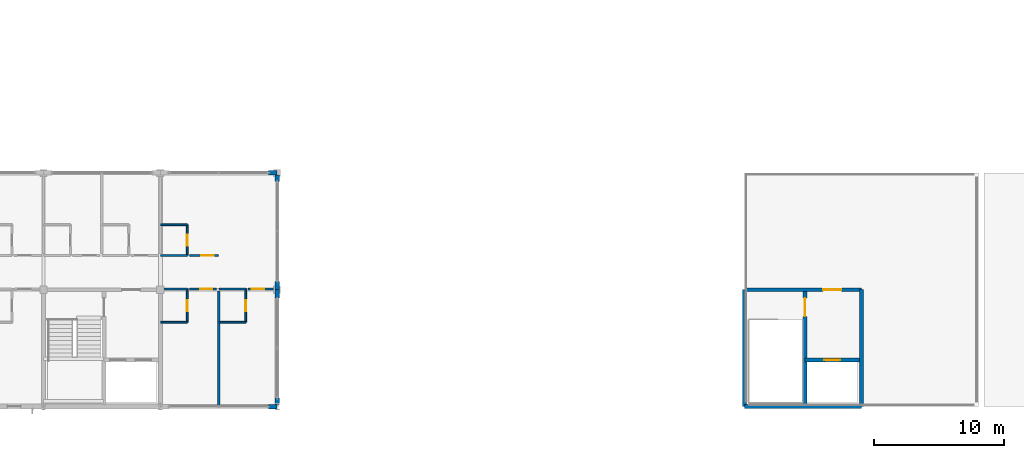
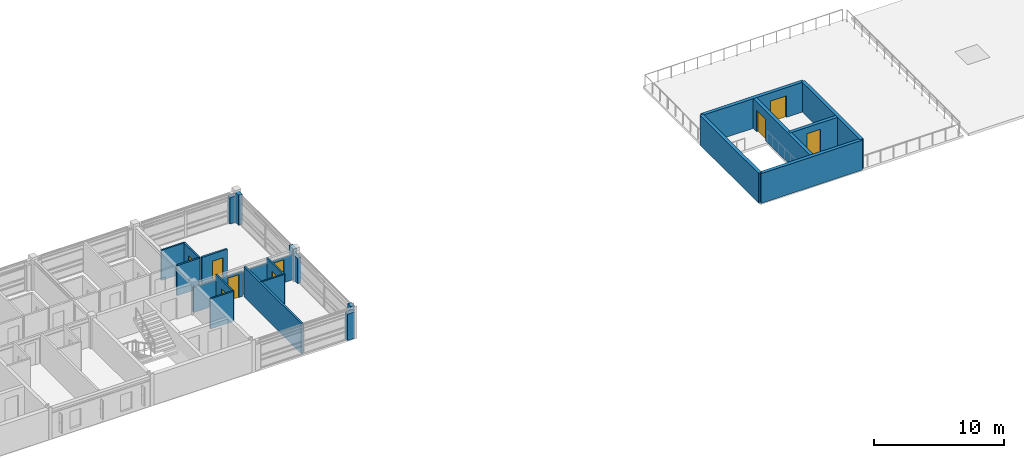
# One storey, part 21 of 30: 25 walls, 9 doors, 9 openings.
"""IFC4 building model written with IfcOpenShell, lengths in metres."""

from ifc_helpers import new_model, si_unit, direction, frame, frame_2d, origin, place, context, subcontext, project, spatial, rectangle, extrude, material, layer, layer_set, type_object, element, fill, save


model = new_model("IFC4")

# Units and contexts
model_context = context("Model", 3, precision=1e-05, world=origin(), true_north=direction((0.0, 1.0)))
body_context = subcontext(model_context, "Body", "Model", "MODEL_VIEW")
ifc_project = project(units=[si_unit("LENGTHUNIT", "METRE"), si_unit("AREAUNIT", "SQUARE_METRE"), si_unit("VOLUMEUNIT", "CUBIC_METRE"), si_unit("PLANEANGLEUNIT", "RADIAN"), si_unit("MASSUNIT", "GRAM", prefix="KILO")], contexts=[model_context])

# Site, building, storey
site_placement = place(None, origin())
site = spatial("IfcSite", under=ifc_project, at=site_placement, CompositionType="ELEMENT")
building_placement = place(site_placement, origin())
building = spatial("IfcBuilding", under=site, at=building_placement, Name="Palais des Congres Ocreval", CompositionType="ELEMENT")
storey_placement = place(building_placement, frame((0.0, 0.0, 14.56005859375)))
storey = spatial("IfcBuildingStorey", under=building, at=storey_placement, Name="L04", CompositionType="ELEMENT", Elevation=14.56005859375)

# Wall, opening, door
ifc_material_1 = material(Name="Moisture-resistant gypsum board")
ifc_layer_1 = layer(ifc_material_1, 0.139892578125)
ifc_layer_set_1 = layer_set([ifc_layer_1], Name="Bathroom Plumbing Chase Wall 140 Gypsum (Moisture-resistant gypsum board)")
wall_type_1 = type_object("IfcWallType", Name="Bathroom Plumbing Chase Wall 140 Gypsum", PredefinedType="PLUMBINGWALL", material=ifc_layer_set_1)
wall_1_placement = place(storey_placement, frame((65.080078125, 6.5, 0.0), z_axis=(0.0, 0.0, 1.0), x_axis=(0.0, 1.0, 0.0)))
wall_1 = element("IfcWall", 1, at=wall_1_placement, inside=storey, type_object=wall_type_1, Name="Bathroom Plumbing Wall PW03 L04", PredefinedType="PLUMBINGWALL", context=body_context, shape_type="SweptSolid", body=[
    extrude(rectangle(XDim=2.56005859375, YDim=0.139892578125, at=frame_2d((1.280029296875, 0.0))), origin(), (0.0, 0.0, 1.0), 2.81982421875),
])
opening_1_placement = place(wall_1_placement, frame((0.85498046875, 0.0, 0.0)))
opening_1 = element("IfcOpeningElement", 2, at=opening_1_placement, cuts=wall_1, Name="Opening D08", PredefinedType="OPENING", context=body_context, shape_type="SweptSolid", body=[
    extrude(rectangle(XDim=0.85009765625, YDim=2.0400390625, at=frame_2d((0.425048828125, 1.02001953125))), frame((0.0, 0.079833984375, 0.0), z_axis=(0.0, -1.0, 0.0), x_axis=(1.0, 0.0, 0.0)), (0.0, 0.0, 1.0), 0.159912109375),
])
ifc_material_2 = material(Name="Solid French oak", Category="wood")
door_type_1 = type_object("IfcDoorType", Name="En-Suite Bathroom Door 850x2040", OperationType="NOTDEFINED", PredefinedType="DOOR", material=ifc_material_2)
door_1_placement = place(opening_1_placement, origin())
door_1 = element("IfcDoor", 3, at=door_1_placement, inside=storey, type_object=door_type_1, Name="En-Suite Bathroom Door D08 L04", OperationType="SINGLE_SWING_LEFT", OverallHeight=2.0400390625, OverallWidth=0.85009765625, PredefinedType="DOOR", context=body_context, shape_type="SweptSolid", body=[
    extrude(rectangle(XDim=0.85009765625, YDim=2.0400390625, at=frame_2d((0.425048828125, 1.02001953125))), frame((0.0, 0.02490234375, 0.0), z_axis=(0.0, -1.0, 0.0), x_axis=(1.0, 0.0, 0.0)), (0.0, 0.0, 1.0), 0.050048828125),
])
fill(opening_1, door_1)

# Wall
wall_2_placement = place(storey_placement, frame((63.02001953125, 6.5, 0.0), z_axis=(0.0, 0.0, 1.0), x_axis=(1.0, 0.0, 0.0)))
element("IfcWall", 4, at=wall_2_placement, inside=storey, type_object=wall_type_1, Name="Bathroom Plumbing Wall PW03 L04", PredefinedType="PLUMBINGWALL", context=body_context, shape_type="SweptSolid", body=[
    extrude(rectangle(XDim=2.06005859375, YDim=0.139892578125, at=frame_2d((1.030029296875, 0.0))), origin(), (0.0, 0.0, 1.0), 2.81982421875),
])

# Wall, opening, door
wall_3_placement = place(storey_placement, frame((69.580078125, 6.5, 0.0), z_axis=(0.0, 0.0, 1.0), x_axis=(0.0, 1.0, 0.0)))
wall_3 = element("IfcWall", 5, at=wall_3_placement, inside=storey, type_object=wall_type_1, Name="Bathroom Plumbing Wall PW03 L04", PredefinedType="PLUMBINGWALL", context=body_context, shape_type="SweptSolid", body=[
    extrude(rectangle(XDim=2.56005859375, YDim=0.139892578125, at=frame_2d((1.280029296875, 0.0))), origin(), (0.0, 0.0, 1.0), 2.81982421875),
])
opening_2_placement = place(wall_3_placement, frame((0.85498046875, 0.0, 0.0)))
opening_2 = element("IfcOpeningElement", 6, at=opening_2_placement, cuts=wall_3, Name="Opening D08", PredefinedType="OPENING", context=body_context, shape_type="SweptSolid", body=[
    extrude(rectangle(XDim=0.85009765625, YDim=2.0400390625, at=frame_2d((0.425048828125, 1.02001953125))), frame((0.0, 0.079833984375, 0.0), z_axis=(0.0, -1.0, 0.0), x_axis=(1.0, 0.0, 0.0)), (0.0, 0.0, 1.0), 0.159912109375),
])
door_2_placement = place(opening_2_placement, origin())
door_2 = element("IfcDoor", 7, at=door_2_placement, inside=storey, type_object=door_type_1, Name="En-Suite Bathroom Door D08 L04", OperationType="SINGLE_SWING_RIGHT", OverallHeight=2.0400390625, OverallWidth=0.85009765625, PredefinedType="DOOR", context=body_context, shape_type="SweptSolid", body=[
    extrude(rectangle(XDim=0.85009765625, YDim=2.0400390625, at=frame_2d((0.425048828125, 1.02001953125))), frame((0.0, 0.02490234375, 0.0), z_axis=(0.0, -1.0, 0.0), x_axis=(1.0, 0.0, 0.0)), (0.0, 0.0, 1.0), 0.050048828125),
])
fill(opening_2, door_2)

# Wall
wall_4_placement = place(storey_placement, frame((67.52001953125, 6.5, 0.0), z_axis=(0.0, 0.0, 1.0), x_axis=(1.0, 0.0, 0.0)))
element("IfcWall", 8, at=wall_4_placement, inside=storey, type_object=wall_type_1, Name="Bathroom Plumbing Wall PW03 L04", PredefinedType="PLUMBINGWALL", context=body_context, shape_type="SweptSolid", body=[
    extrude(rectangle(XDim=2.06005859375, YDim=0.139892578125, at=frame_2d((1.030029296875, 0.0))), origin(), (0.0, 0.0, 1.0), 2.81982421875),
])

# Wall, opening, door
wall_5_placement = place(storey_placement, frame((65.080078125, 11.639892578125, 0.0), z_axis=(0.0, 0.0, 1.0), x_axis=(0.0, 1.0, 0.0)))
wall_5 = element("IfcWall", 9, at=wall_5_placement, inside=storey, type_object=wall_type_1, Name="Bathroom Plumbing Wall PW03 L04", PredefinedType="PLUMBINGWALL", context=body_context, shape_type="SweptSolid", body=[
    extrude(rectangle(XDim=2.360107421875, YDim=0.139892578125, at=frame_2d((1.18017578125, 0.0))), origin(), (0.0, 0.0, 1.0), 2.81982421875),
])
opening_3_placement = place(wall_5_placement, frame((0.7548828125, 0.0, 0.0)))
opening_3 = element("IfcOpeningElement", 10, at=opening_3_placement, cuts=wall_5, Name="Opening D08", PredefinedType="OPENING", context=body_context, shape_type="SweptSolid", body=[
    extrude(rectangle(XDim=0.85009765625, YDim=2.0400390625, at=frame_2d((0.425048828125, 1.02001953125))), frame((0.0, 0.079833984375, 0.0), z_axis=(0.0, -1.0, 0.0), x_axis=(1.0, 0.0, 0.0)), (0.0, 0.0, 1.0), 0.159912109375),
])
door_3_placement = place(opening_3_placement, origin())
door_3 = element("IfcDoor", 11, at=door_3_placement, inside=storey, type_object=door_type_1, Name="En-Suite Bathroom Door D08 L04", OperationType="SINGLE_SWING_RIGHT", OverallHeight=2.0400390625, OverallWidth=0.85009765625, PredefinedType="DOOR", context=body_context, shape_type="SweptSolid", body=[
    extrude(rectangle(XDim=0.85009765625, YDim=2.0400390625, at=frame_2d((0.425048828125, 1.02001953125))), frame((0.0, 0.02490234375, 0.0), z_axis=(0.0, -1.0, 0.0), x_axis=(1.0, 0.0, 0.0)), (0.0, 0.0, 1.0), 0.050048828125),
])
fill(opening_3, door_3)

# Walls
wall_6_placement = place(storey_placement, frame((63.02001953125, 14.0, 0.0), z_axis=(0.0, 0.0, 1.0), x_axis=(1.0, 0.0, 0.0)))
element("IfcWall", 12, at=wall_6_placement, inside=storey, type_object=wall_type_1, Name="Bathroom Plumbing Wall PW03 L04", PredefinedType="PLUMBINGWALL", context=body_context, shape_type="SweptSolid", body=[
    extrude(rectangle(XDim=2.06005859375, YDim=0.139892578125, at=frame_2d((1.030029296875, 0.0))), origin(), (0.0, 0.0, 1.0), 2.81982421875),
])
ifc_material_3 = material(Name="Concrete C40/50", Category="concrete")
ifc_layer_2 = layer(ifc_material_3, 0.300048828125)
ifc_layer_set_2 = layer_set([ifc_layer_2], Name="Core Shear Wall 300 Concrete C40/50")
wall_type_2 = type_object("IfcWallType", Name="Core Shear Wall 300 Concrete C40/50", PredefinedType="SHEAR", material=ifc_layer_set_2)
for number, where, z_axis, x_axis, name in (
    (13, (108.0, 0.0, 0.0), (0.0, 0.0, 1.0), (1.0, 0.0, 0.0), "Core Shear Wall SC09 L04 S"),
    (14, (117.0, 0.0, 0.0), (0.0, 0.0, 1.0), (0.0, 1.0, 0.0), "Core Shear Wall SC09 L04 E"),
):
    element("IfcWall", number, at=place(storey_placement, frame(where, z_axis=z_axis, x_axis=x_axis)), inside=storey, type_object=wall_type_2, Name=name, PredefinedType="SHEAR", context=body_context, shape_type="SweptSolid", body=[
        extrude(rectangle(XDim=9.0, YDim=0.300048828125, at=frame_2d((4.5, 0.0))), origin(), (0.0, 0.0, 1.0), 2.7900390625),
    ])

# Wall, opening, door
wall_7_placement = place(storey_placement, frame((108.0, 9.0, 0.0), z_axis=(0.0, 0.0, 1.0), x_axis=(1.0, 0.0, 0.0)))
wall_7 = element("IfcWall", 15, at=wall_7_placement, inside=storey, type_object=wall_type_2, Name="Core Shear Wall SC09 L04 N", PredefinedType="SHEAR", context=body_context, shape_type="SweptSolid", body=[
    extrude(rectangle(XDim=9.0, YDim=0.300048828125, at=frame_2d((4.5, 0.0))), origin(), (0.0, 0.0, 1.0), 2.7900390625),
])
opening_4_placement = place(wall_7_placement, frame((6.050048828125, 0.0, 0.0)))
opening_4 = element("IfcOpeningElement", 16, at=opening_4_placement, cuts=wall_7, Name="Opening D03", PredefinedType="OPENING", context=body_context, shape_type="SweptSolid", body=[
    extrude(rectangle(XDim=1.39990234375, YDim=2.02001953125, at=frame_2d((0.699951171875, 1.010009765625))), frame((0.0, 0.159912109375, 0.0), z_axis=(0.0, -1.0, 0.0), x_axis=(1.0, 0.0, 0.0)), (0.0, 0.0, 1.0), 0.320068359375),
])
ifc_material_4 = material(Name="Painted fire-rated steel", Category="steel")
door_type_2 = type_object("IfcDoorType", Name="Core Lobby Rated Door 1400x2020", OperationType="NOTDEFINED", PredefinedType="DOOR", material=ifc_material_4)
door_4_placement = place(opening_4_placement, origin())
door_4 = element("IfcDoor", 17, at=door_4_placement, inside=storey, type_object=door_type_2, Name="Terrace Access Door Commission Garden Belvedere Terrace", OperationType="DOUBLE_DOOR_SINGLE_SWING", OverallHeight=2.02001953125, OverallWidth=1.39990234375, PredefinedType="DOOR", context=body_context, shape_type="SweptSolid", body=[
    extrude(rectangle(XDim=1.39990234375, YDim=2.02001953125, at=frame_2d((0.699951171875, 1.010009765625))), frame((0.0, 0.02490234375, 0.0), z_axis=(0.0, -1.0, 0.0), x_axis=(1.0, 0.0, 0.0)), (0.0, 0.0, 1.0), 0.050048828125),
])
fill(opening_4, door_4)

# Wall
wall_8_placement = place(storey_placement, frame((108.0, 0.0, 0.0), z_axis=(0.0, 0.0, 1.0), x_axis=(0.0, 1.0, 0.0)))
element("IfcWall", 18, at=wall_8_placement, inside=storey, type_object=wall_type_2, Name="Core Shear Wall SC09 L04 W", PredefinedType="SHEAR", context=body_context, shape_type="SweptSolid", body=[
    extrude(rectangle(XDim=9.0, YDim=0.300048828125, at=frame_2d((4.5, 0.0))), origin(), (0.0, 0.0, 1.0), 2.7900390625),
])

# Wall, opening, door
wall_9_placement = place(storey_placement, frame((112.64990234375, 0.14990234375, 0.0), z_axis=(0.0, 0.0, 1.0), x_axis=(0.0, 1.0, 0.0)))
wall_9 = element("IfcWall", 19, at=wall_9_placement, inside=storey, type_object=wall_type_2, Name="Core Spine Shear Wall SC09 L04", PredefinedType="SHEAR", context=body_context, shape_type="SweptSolid", body=[
    extrude(rectangle(XDim=8.7001953125, YDim=0.300048828125, at=frame_2d((4.35009765625, 0.0))), origin(), (0.0, 0.0, 1.0), 2.7900390625),
])
opening_5_placement = place(wall_9_placement, frame((6.800048828125, 0.0, 0.0)))
opening_5 = element("IfcOpeningElement", 20, at=opening_5_placement, cuts=wall_9, Name="Opening D03", PredefinedType="OPENING", context=body_context, shape_type="SweptSolid", body=[
    extrude(rectangle(XDim=1.39990234375, YDim=2.02001953125, at=frame_2d((0.699951171875, 1.010009765625))), frame((0.0, 0.159912109375, 0.0), z_axis=(0.0, -1.0, 0.0), x_axis=(1.0, 0.0, 0.0)), (0.0, 0.0, 1.0), 0.320068359375),
])
door_5_placement = place(opening_5_placement, origin())
door_5 = element("IfcDoor", 21, at=door_5_placement, inside=storey, type_object=door_type_2, Name="Protected Exit Stair Door ST09 L04", OperationType="SINGLE_SWING_LEFT", OverallHeight=2.02001953125, OverallWidth=1.39990234375, PredefinedType="DOOR", context=body_context, shape_type="SweptSolid", body=[
    extrude(rectangle(XDim=1.39990234375, YDim=2.02001953125, at=frame_2d((0.699951171875, 1.010009765625))), frame((0.0, 0.02490234375, 0.0), z_axis=(0.0, -1.0, 0.0), x_axis=(1.0, 0.0, 0.0)), (0.0, 0.0, 1.0), 0.050048828125),
])
fill(opening_5, door_5)

wall_10_placement = place(storey_placement, frame((112.64990234375, 3.60009765625, 0.0), z_axis=(0.0, 0.0, 1.0), x_axis=(1.0, 0.0, 0.0)))
wall_10 = element("IfcWall", 22, at=wall_10_placement, inside=storey, type_object=wall_type_2, Name="Lift Shaft Front Wall SC09 L04", PredefinedType="SHEAR", context=body_context, shape_type="SweptSolid", body=[
    extrude(rectangle(XDim=4.2001953125, YDim=0.300048828125, at=frame_2d((2.10009765625, 0.0))), origin(), (0.0, 0.0, 1.0), 2.7900390625),
])
opening_6_placement = place(wall_10_placement, frame((1.5, 0.0, 0.0)))
opening_6 = element("IfcOpeningElement", 23, at=opening_6_placement, cuts=wall_10, Name="Opening LD02", PredefinedType="OPENING", context=body_context, shape_type="SweptSolid", body=[
    extrude(rectangle(XDim=1.199951171875, YDim=2.199951171875, at=frame_2d((0.60009765625, 1.10009765625))), frame((0.0, 0.159912109375, 0.0), z_axis=(0.0, -1.0, 0.0), x_axis=(1.0, 0.0, 0.0)), (0.0, 0.0, 1.0), 0.320068359375),
])
ifc_material_5 = material(Name="Anodized bronze steel", Category="steel")
door_type_3 = type_object("IfcDoorType", Name="Passenger and Service Lift Sliding Door 1200x2200", OperationType="NOTDEFINED", PredefinedType="DOOR", material=ifc_material_5)
door_6_placement = place(opening_6_placement, origin())
door_6 = element("IfcDoor", 24, at=door_6_placement, inside=storey, type_object=door_type_3, Name="Lift Landing Sliding Door CL3 L04", OperationType="DOUBLE_DOOR_SLIDING", OverallHeight=2.199951171875, OverallWidth=1.199951171875, PredefinedType="DOOR", context=body_context, shape_type="SweptSolid", body=[
    extrude(rectangle(XDim=1.199951171875, YDim=2.199951171875, at=frame_2d((0.60009765625, 1.10009765625))), frame((0.0, 0.02490234375, 0.0), z_axis=(0.0, -1.0, 0.0), x_axis=(1.0, 0.0, 0.0)), (0.0, 0.0, 1.0), 0.050048828125),
])
fill(opening_6, door_6)

# Walls
ifc_material_6 = material(Name="Gypsum acoustic partition")
ifc_layer_3 = layer(ifc_material_6, 0.159912109375)
ifc_layer_set_3 = layer_set([ifc_layer_3], Name="Corridor Fire Partition 160 Gypsum (Gypsum acoustic partition)")
wall_type_3 = type_object("IfcWallType", Name="Corridor Fire Partition 160 Gypsum", PredefinedType="PARTITIONING", material=ifc_layer_set_3)
for number, where, z_axis, x_axis, name in (
    (25, (63.02001953125, 9.06005859375, 0.0), (0.0, 0.0, 1.0), (1.0, 0.0, 0.0), "Corridor Partition IW03 L04"),
    (26, (67.52001953125, 9.06005859375, 0.0), (0.0, 0.0, 1.0), (1.0, 0.0, 0.0), "Corridor Partition IW03 L04"),
):
    element("IfcWall", number, at=place(storey_placement, frame(where, z_axis=z_axis, x_axis=x_axis)), inside=storey, type_object=wall_type_3, Name=name, PredefinedType="PARTITIONING", context=body_context, shape_type="SweptSolid", body=[
        extrude(rectangle(XDim=2.06005859375, YDim=0.159912109375, at=frame_2d((1.030029296875, 0.0))), origin(), (0.0, 0.0, 1.0), 2.329833984375),
    ])
wall_11_placement = place(storey_placement, frame((63.02001953125, 11.639892578125, 0.0), z_axis=(0.0, 0.0, 1.0), x_axis=(1.0, 0.0, 0.0)))
element("IfcWall", 27, at=wall_11_placement, inside=storey, type_object=wall_type_3, Name="Corridor Partition IW03 L04", PredefinedType="PARTITIONING", context=body_context, shape_type="SweptSolid", body=[
    extrude(rectangle(XDim=2.06005859375, YDim=0.159912109375, at=frame_2d((1.030029296875, 0.0))), origin(), (0.0, 0.0, 1.0), 2.81982421875),
])

# Wall, opening, door
wall_12_placement = place(storey_placement, frame((65.235107421875, 9.06494140625, 0.0), z_axis=(0.0, 0.0, 1.0), x_axis=(1.0, 0.0, 0.0)))
wall_12 = element("IfcWall", 28, at=wall_12_placement, inside=storey, type_object=wall_type_3, Name="Interior Partition IW03 L04", PredefinedType="PARTITIONING", context=body_context, shape_type="SweptSolid", body=[
    extrude(rectangle(XDim=2.10986328125, YDim=0.159912109375, at=frame_2d((1.054931640625, 0.0))), origin(), (0.0, 0.0, 1.0), 2.329833984375),
])
opening_7_placement = place(wall_12_placement, frame((0.833251953125, 0.0, 0.0)))
opening_7 = element("IfcOpeningElement", 29, at=opening_7_placement, cuts=wall_12, Name="Opening D05", PredefinedType="OPENING", context=body_context, shape_type="SweptSolid", body=[
    extrude(rectangle(XDim=0.949951171875, YDim=2.14990234375, at=frame_2d((0.47509765625, 1.074951171875))), frame((0.0, 0.08984375, 0.0), z_axis=(0.0, -1.0, 0.0), x_axis=(1.0, 0.0, 0.0)), (0.0, 0.0, 1.0), 0.179931640625),
])
door_type_4 = type_object("IfcDoorType", Name="Hotel Guestroom Entrance Door 950x2150", OperationType="NOTDEFINED", PredefinedType="DOOR", material=ifc_material_2)
door_7_placement = place(opening_7_placement, origin())
door_7 = element("IfcDoor", 30, at=door_7_placement, inside=storey, type_object=door_type_4, Name="Interior Door D05 L04", OperationType="SINGLE_SWING_RIGHT", OverallHeight=2.14990234375, OverallWidth=0.949951171875, PredefinedType="DOOR", context=body_context, shape_type="SweptSolid", body=[
    extrude(rectangle(XDim=0.949951171875, YDim=2.14990234375, at=frame_2d((0.47509765625, 1.074951171875))), frame((0.0, 0.02490234375, 0.0), z_axis=(0.0, -1.0, 0.0), x_axis=(1.0, 0.0, 0.0)), (0.0, 0.0, 1.0), 0.050048828125),
])
fill(opening_7, door_7)

wall_13_placement = place(storey_placement, frame((69.735107421875, 9.06494140625, 0.0), z_axis=(0.0, 0.0, 1.0), x_axis=(1.0, 0.0, 0.0)))
wall_13 = element("IfcWall", 31, at=wall_13_placement, inside=storey, type_object=wall_type_3, Name="Interior Partition IW03 L04", PredefinedType="PARTITIONING", context=body_context, shape_type="SweptSolid", body=[
    extrude(rectangle(XDim=2.08984375, YDim=0.159912109375, at=frame_2d((1.044921875, 0.0))), origin(), (0.0, 0.0, 1.0), 2.329833984375),
])
opening_8_placement = place(wall_13_placement, frame((0.319091796875, 0.0, 0.0)))
opening_8 = element("IfcOpeningElement", 32, at=opening_8_placement, cuts=wall_13, Name="Opening D05", PredefinedType="OPENING", context=body_context, shape_type="SweptSolid", body=[
    extrude(rectangle(XDim=0.949951171875, YDim=2.14990234375, at=frame_2d((0.47509765625, 1.074951171875))), frame((0.0, 0.08984375, 0.0), z_axis=(0.0, -1.0, 0.0), x_axis=(1.0, 0.0, 0.0)), (0.0, 0.0, 1.0), 0.179931640625),
])
door_8_placement = place(opening_8_placement, origin())
door_8 = element("IfcDoor", 33, at=door_8_placement, inside=storey, type_object=door_type_4, Name="Interior Door D05 L04", OperationType="SINGLE_SWING_LEFT", OverallHeight=2.14990234375, OverallWidth=0.949951171875, PredefinedType="DOOR", context=body_context, shape_type="SweptSolid", body=[
    extrude(rectangle(XDim=0.949951171875, YDim=2.14990234375, at=frame_2d((0.47509765625, 1.074951171875))), frame((0.0, 0.02490234375, 0.0), z_axis=(0.0, -1.0, 0.0), x_axis=(1.0, 0.0, 0.0)), (0.0, 0.0, 1.0), 0.050048828125),
])
fill(opening_8, door_8)

wall_14_placement = place(storey_placement, frame((65.235107421875, 11.635009765625, 0.0), z_axis=(0.0, 0.0, 1.0), x_axis=(1.0, 0.0, 0.0)))
wall_14 = element("IfcWall", 34, at=wall_14_placement, inside=storey, type_object=wall_type_3, Name="Interior Partition IW03 L04", PredefinedType="PARTITIONING", context=body_context, shape_type="SweptSolid", body=[
    extrude(rectangle(XDim=2.244873046875, YDim=0.159912109375, at=frame_2d((1.12255859375, 0.0))), origin(), (0.0, 0.0, 1.0), 2.81982421875),
])
opening_9_placement = place(wall_14_placement, frame((0.9169921875, 0.0, 0.0)))
opening_9 = element("IfcOpeningElement", 35, at=opening_9_placement, cuts=wall_14, Name="Opening D05", PredefinedType="OPENING", context=body_context, shape_type="SweptSolid", body=[
    extrude(rectangle(XDim=0.949951171875, YDim=2.14990234375, at=frame_2d((0.47509765625, 1.074951171875))), frame((0.0, 0.08984375, 0.0), z_axis=(0.0, -1.0, 0.0), x_axis=(1.0, 0.0, 0.0)), (0.0, 0.0, 1.0), 0.179931640625),
])
door_9_placement = place(opening_9_placement, origin())
door_9 = element("IfcDoor", 36, at=door_9_placement, inside=storey, type_object=door_type_4, Name="Interior Door D05 L04", OperationType="SINGLE_SWING_LEFT", OverallHeight=2.14990234375, OverallWidth=0.949951171875, PredefinedType="DOOR", context=body_context, shape_type="SweptSolid", body=[
    extrude(rectangle(XDim=0.949951171875, YDim=2.14990234375, at=frame_2d((0.47509765625, 1.074951171875))), frame((0.0, 0.02490234375, 0.0), z_axis=(0.0, -1.0, 0.0), x_axis=(1.0, 0.0, 0.0)), (0.0, 0.0, 1.0), 0.050048828125),
])
fill(opening_9, door_9)

# Walls
ifc_layer_4 = layer(ifc_material_6, 0.179931640625)
ifc_layer_set_4 = layer_set([ifc_layer_4], Name="Hotel Inter-Room Acoustic Partition 180 Gypsum (Gypsum acoustic partition)")
wall_type_4 = type_object("IfcWallType", Name="Hotel Inter-Room Acoustic Partition 180 Gypsum", PredefinedType="PARTITIONING", material=ifc_layer_set_4)
wall_15_placement = place(storey_placement, frame((67.5, 0.094970703125, 0.0), z_axis=(0.0, 0.0, 1.0), x_axis=(0.0, 1.0, 0.0)))
element("IfcWall", 37, at=wall_15_placement, inside=storey, type_object=wall_type_4, Name="Hotel Party Partition IW02 L04", PredefinedType="PARTITIONING", context=body_context, shape_type="SweptSolid", body=[
    extrude(rectangle(XDim=8.81005859375, YDim=0.179931640625, at=frame_2d((4.405029296875, 0.0))), origin(), (0.0, 0.0, 1.0), 2.81982421875),
])
ifc_layer_5 = layer(ifc_material_3, 0.340087890625)
ifc_layer_set_5 = layer_set([ifc_layer_5], Name="Ochre Mineral-Lime Courtyard Wall 340 Concrete C40/50")
wall_type_5 = type_object("IfcWallType", Name="Ochre Mineral-Lime Courtyard Wall 340 Concrete C40/50", PredefinedType="SOLIDWALL", material=ifc_layer_set_5)
wall_16_placement = place(storey_placement, frame((72.0, 17.844970703125, 0.0), z_axis=(0.0, 0.0, 1.0), x_axis=(0.0, -1.0, 0.0)))
element("IfcWall", 38, at=wall_16_placement, inside=storey, type_object=wall_type_5, Name="Facade Pier EW04 L04", PredefinedType="SOLIDWALL", context=body_context, shape_type="SweptSolid", body=[
    extrude(rectangle(XDim=0.494873046875, YDim=0.340087890625, at=frame_2d((0.24755859375, 0.0))), origin(), (0.0, 0.0, 1.0), 2.81982421875),
])
wall_17_placement = place(storey_placement, frame((72.0, 9.64990234375, 0.0), z_axis=(0.0, 0.0, 1.0), x_axis=(0.0, -1.0, 0.0)))
element("IfcWall", 39, at=wall_17_placement, inside=storey, type_object=wall_type_5, Name="Facade Pier EW04 L04", PredefinedType="SOLIDWALL", context=body_context, shape_type="SweptSolid", body=[
    extrude(rectangle(XDim=0.64990234375, YDim=0.340087890625, at=frame_2d((0.324951171875, 0.0))), origin(), (0.0, 0.0, 1.0), 2.81982421875),
])
wall_18_placement = place(storey_placement, frame((72.0, 9.0, 0.0), z_axis=(0.0, 0.0, 1.0), x_axis=(0.0, -1.0, 0.0)))
element("IfcWall", 40, at=wall_18_placement, inside=storey, type_object=wall_type_5, Name="Facade Pier EW04 L04", PredefinedType="SOLIDWALL", context=body_context, shape_type="SweptSolid", body=[
    extrude(rectangle(XDim=0.64990234375, YDim=0.340087890625, at=frame_2d((0.324951171875, 0.0))), origin(), (0.0, 0.0, 1.0), 2.3798828125),
])
wall_19_placement = place(storey_placement, frame((72.0, 0.64990234375, 0.0), z_axis=(0.0, 0.0, 1.0), x_axis=(0.0, -1.0, 0.0)))
element("IfcWall", 41, at=wall_19_placement, inside=storey, type_object=wall_type_5, Name="Facade Pier EW04 L04", PredefinedType="SOLIDWALL", context=body_context, shape_type="SweptSolid", body=[
    extrude(rectangle(XDim=0.494873046875, YDim=0.340087890625, at=frame_2d((0.24755859375, 0.0))), origin(), (0.0, 0.0, 1.0), 2.81982421875),
])
for number, where, z_axis, x_axis, name in (
    (42, (72.0, 0.0, 0.0), (0.0, 0.0, 1.0), (-1.0, 0.0, 0.0), "Facade Pier EW04 L04"),
    (43, (71.35009765625, 18.0, 0.0), (0.0, 0.0, 1.0), (1.0, 0.0, 0.0), "Facade Pier EW04 L04"),
):
    element("IfcWall", number, at=place(storey_placement, frame(where, z_axis=z_axis, x_axis=x_axis)), inside=storey, type_object=wall_type_5, Name=name, PredefinedType="SOLIDWALL", context=body_context, shape_type="SweptSolid", body=[
        extrude(rectangle(XDim=0.64990234375, YDim=0.340087890625, at=frame_2d((0.324951171875, 0.0))), origin(), (0.0, 0.0, 1.0), 2.47998046875),
    ])

save(model, "model.ifc")
